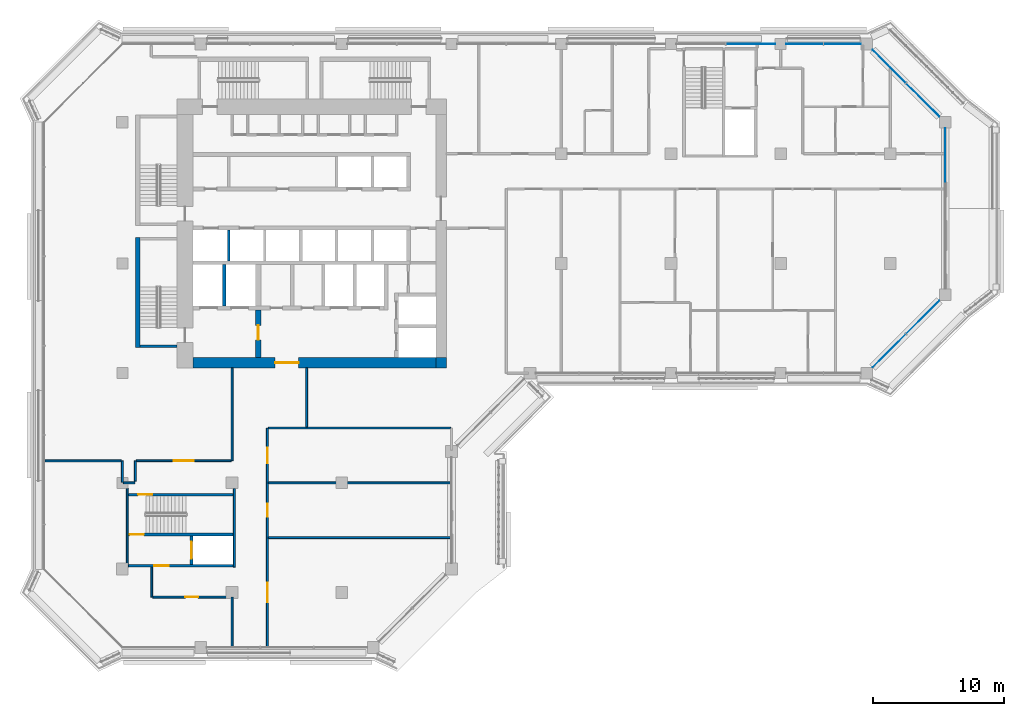
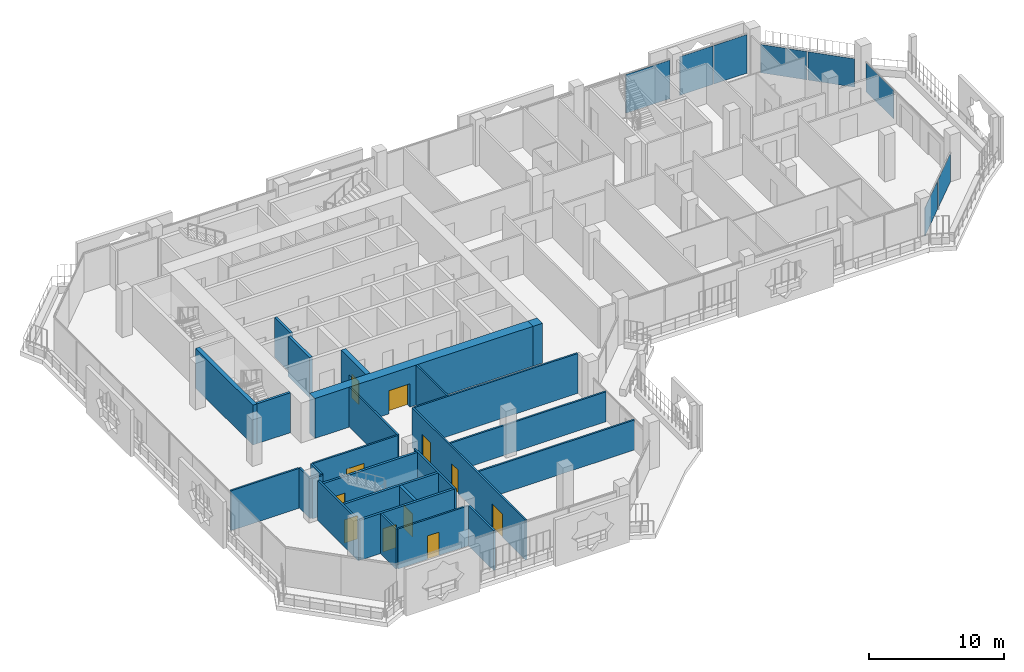
# One storey, part 9 of 21: 27 walls, 11 doors, 8 plates, 11 openings, 4 elements without a shape of their own.
"""IFC4 building model written with IfcOpenShell, lengths in metres."""

from ifc_helpers import new_model, si_unit, direction, frame, frame_2d, origin, origin_2d, place, context, subcontext, project, spatial, rectangle, extrude, material, layer, layer_set, type_object, element, fill, aggregate, save


model = new_model("IFC4")

# Units and contexts
model_context = context("Model", 3, precision=1e-05, world=origin(), true_north=direction((0.0, 1.0)))
body_context = subcontext(model_context, "Body", "Model", "MODEL_VIEW")
ifc_project = project(units=[si_unit("LENGTHUNIT", "METRE"), si_unit("AREAUNIT", "SQUARE_METRE"), si_unit("VOLUMEUNIT", "CUBIC_METRE"), si_unit("PLANEANGLEUNIT", "RADIAN"), si_unit("MASSUNIT", "GRAM", prefix="KILO")], contexts=[model_context])

# Site, building, storey
site_placement = place(None, origin())
site = spatial("IfcSite", under=ifc_project, at=site_placement, CompositionType="ELEMENT")
building_placement = place(site_placement, origin())
building = spatial("IfcBuilding", under=site, at=building_placement, Name="Kawkab Arch Medical Tower", CompositionType="ELEMENT")
storey_placement = place(building_placement, frame((0.0, 0.0, 260.0)))
storey = spatial("IfcBuildingStorey", under=building, at=storey_placement, Name="L60", CompositionType="ELEMENT", Elevation=260.0)

# Curtain wall, plate
ifc_material_1 = material(Name="Bronze anodised aluminium curtain wall frame", Category="aluminium")
ifc_layer_1 = layer(ifc_material_1, 0.159912109375)
ifc_layer_set_1 = layer_set([ifc_layer_1], Name="Bronze anodised aluminium curtain wall frame")
curtain_wall_type_1 = type_object("IfcCurtainWallType", Name="CW1 ward curtain wall", PredefinedType="NOTDEFINED", material=ifc_layer_set_1)
placement = place(storey_placement, origin())
curtain_wall_1 = element("IfcCurtainWall", 1, at=placement, inside=storey, type_object=curtain_wall_type_1, Name="CW1 Ward curtain wall R09", PredefinedType="NOTDEFINED")
ifc_material_2 = material(Name="Tinted insulating glass, bronze low-e coating", Category="glass")
ifc_layer_2 = layer(ifc_material_2, 0.031982421875)
ifc_layer_set_2 = layer_set([ifc_layer_2], Name="Tinted insulating glass, bronze low-e coating")
plate_type_1 = type_object("IfcPlateType", Name="CW1 glazing unit 32", PredefinedType="CURTAIN_PANEL", material=ifc_layer_set_2)
plate_1_placement = place(storey_placement, frame((63.0, -8.5, 0.0), z_axis=(0.0, 0.0, 1.0), x_axis=(0.0, 1.0, 0.0)))
plate_1 = element("IfcPlate", 2, at=plate_1_placement, type_object=plate_type_1, Name="CW1 glazing unit 1.3", PredefinedType="CURTAIN_PANEL", context=body_context, shape_type="SweptSolid", body=[
    extrude(rectangle(XDim=4.10009765625, YDim=0.031982421875, at=origin_2d()), origin(), (0.0, 0.0, 1.0), 2.580078125),
])
aggregate(curtain_wall_1, [plate_1])

# Curtain wall, plates
curtain_wall_2 = element("IfcCurtainWall", 3, at=placement, inside=storey, type_object=curtain_wall_type_1, Name="CW1 Ward curtain wall R11", PredefinedType="NOTDEFINED")
plate_2_placement = place(storey_placement, frame((55.1337890625, 0.0, 0.0), z_axis=(0.0, 0.0, 1.0), x_axis=(-1.0, 0.0, 0.0)))
plate_2 = element("IfcPlate", 4, at=plate_2_placement, type_object=plate_type_1, Name="CW1 glazing unit 1.1", PredefinedType="CURTAIN_PANEL", context=body_context, shape_type="SweptSolid", body=[
    extrude(rectangle(XDim=2.83251953125, YDim=0.031982421875, at=origin_2d()), origin(), (0.0, 0.0, 1.0), 3.47998046875),
])
plate_3_placement = place(storey_placement, frame((52.2412109375, 0.0, 0.0), z_axis=(0.0, 0.0, 1.0), x_axis=(-1.0, 0.0, 0.0)))
plate_3 = element("IfcPlate", 5, at=plate_3_placement, type_object=plate_type_1, Name="CW1 glazing unit 1.2", PredefinedType="CURTAIN_PANEL", context=body_context, shape_type="SweptSolid", body=[
    extrude(rectangle(XDim=2.83251953125, YDim=0.031982421875, at=origin_2d()), origin(), (0.0, 0.0, 1.0), 3.47998046875),
])
plate_4_placement = place(storey_placement, frame((48.1025390625, 0.0, 0.0), z_axis=(0.0, 0.0, 1.0), x_axis=(-1.0, 0.0, 0.0)))
plate_4 = element("IfcPlate", 6, at=plate_4_placement, type_object=plate_type_1, Name="CW1 glazing unit 2.1", PredefinedType="CURTAIN_PANEL", context=body_context, shape_type="SweptSolid", body=[
    extrude(rectangle(XDim=3.7451171875, YDim=0.031982421875, at=origin_2d()), origin(), (0.0, 0.0, 1.0), 3.47998046875),
])
aggregate(curtain_wall_2, [plate_2, plate_3, plate_4])

ifc_material_3 = material(Name="Bronze anodised aluminium curtain wall frame", Category="aluminium")
ifc_layer_3 = layer(ifc_material_3, 0.159912109375)
ifc_layer_set_3 = layer_set([ifc_layer_3], Name="Bronze anodised aluminium curtain wall frame")
curtain_wall_type_2 = type_object("IfcCurtainWallType", Name="CW2 chamfer curtain wall", PredefinedType="NOTDEFINED", material=ifc_layer_set_3)
curtain_wall_3 = element("IfcCurtainWall", 7, at=placement, inside=storey, type_object=curtain_wall_type_2, Name="CW2 Chamfer curtain wall R08", PredefinedType="NOTDEFINED")
ifc_material_4 = material(Name="Tinted insulating glass, bronze low-e coating", Category="glass")
ifc_layer_4 = layer(ifc_material_4, 0.031982421875)
ifc_layer_set_4 = layer_set([ifc_layer_4], Name="Tinted insulating glass, bronze low-e coating")
plate_type_2 = type_object("IfcPlateType", Name="CW2 glazing unit 32", PredefinedType="CURTAIN_PANEL", material=ifc_layer_set_4)
plate_5_placement = place(storey_placement, frame((58.71435546875, -23.485595703125, 0.0), z_axis=(0.0, 0.0, 1.0), x_axis=(0.707106781187, 0.707106781187, 0.0)))
plate_5 = element("IfcPlate", 8, at=plate_5_placement, type_object=plate_type_2, Name="CW2 glazing unit 1.1", PredefinedType="CURTAIN_PANEL", context=body_context, shape_type="SweptSolid", body=[
    extrude(rectangle(XDim=3.576171875, YDim=0.031982421875, at=origin_2d()), origin(), (0.0, 0.0, 1.0), 2.56005859375),
])
plate_6_placement = place(storey_placement, frame((61.28564453125, -20.914306640625, 0.0), z_axis=(0.0, 0.0, 1.0), x_axis=(0.707106781187, 0.707106781187, 0.0)))
plate_6 = element("IfcPlate", 9, at=plate_6_placement, type_object=plate_type_2, Name="CW2 glazing unit 1.2", PredefinedType="CURTAIN_PANEL", context=body_context, shape_type="SweptSolid", body=[
    extrude(rectangle(XDim=3.576171875, YDim=0.031982421875, at=origin_2d()), origin(), (0.0, 0.0, 1.0), 2.56005859375),
])
aggregate(curtain_wall_3, [plate_5, plate_6])

curtain_wall_4 = element("IfcCurtainWall", 10, at=placement, inside=storey, type_object=curtain_wall_type_2, Name="CW2 Chamfer curtain wall R10", PredefinedType="NOTDEFINED")
plate_7_placement = place(storey_placement, frame((61.28564453125, -4.28564453125, 0.0), z_axis=(0.0, 0.0, 1.0), x_axis=(-0.707106781187, 0.707106781187, 0.0)))
plate_7 = element("IfcPlate", 11, at=plate_7_placement, type_object=plate_type_2, Name="CW2 glazing unit 1.1", PredefinedType="CURTAIN_PANEL", context=body_context, shape_type="SweptSolid", body=[
    extrude(rectangle(XDim=3.576171875, YDim=0.031982421875, at=origin_2d()), origin(), (0.0, 0.0, 1.0), 2.56005859375),
])
plate_8_placement = place(storey_placement, frame((58.71435546875, -1.71435546875, 0.0), z_axis=(0.0, 0.0, 1.0), x_axis=(-0.707106781187, 0.707106781187, 0.0)))
plate_8 = element("IfcPlate", 12, at=plate_8_placement, type_object=plate_type_2, Name="CW2 glazing unit 1.2", PredefinedType="CURTAIN_PANEL", context=body_context, shape_type="SweptSolid", body=[
    extrude(rectangle(XDim=3.576171875, YDim=0.031982421875, at=origin_2d()), origin(), (0.0, 0.0, 1.0), 2.56005859375),
])
aggregate(curtain_wall_4, [plate_7, plate_8])

# Wall, opening, door
ifc_material_5 = material(Name="Concrete C50/60", Category="concrete")
ifc_layer_5 = layer(ifc_material_5, 0.800048828125)
ifc_layer_set_5 = layer_set([ifc_layer_5], Name="Concrete C50/60")
wall_type_1 = type_object("IfcWallType", Name="Core ring wall 800 C50/60", PredefinedType="SHEAR", material=ifc_layer_set_5)
wall_1_placement = place(storey_placement, frame((5.39990234375, -24.39990234375, 0.0), z_axis=(0.0, 0.0, 1.0), x_axis=(1.0, 0.0, 0.0)))
wall_1 = element("IfcWall", 13, at=wall_1_placement, inside=storey, type_object=wall_type_1, Name="L60 core wall", PredefinedType="SHEAR", context=body_context, shape_type="SweptSolid", body=[
    extrude(rectangle(XDim=18.60009765625, YDim=0.800048828125, at=frame_2d((9.300048828125, 0.0))), origin(), (0.0, 0.0, 1.0), 3.60009765625),
])
opening_1_placement = place(wall_1_placement, frame((6.300048828125, 0.0, 0.0)))
opening_1 = element("IfcOpeningElement", 14, at=opening_1_placement, cuts=wall_1, Name="Opening PD", PredefinedType="OPENING", context=body_context, shape_type="SweptSolid", body=[
    extrude(rectangle(XDim=1.800048828125, YDim=2.10009765625, at=frame_2d((0.89990234375, 1.050048828125))), frame((0.0, 0.409912109375, 0.0), z_axis=(0.0, -1.0, 0.0), x_axis=(1.0, 0.0, 0.0)), (0.0, 0.0, 1.0), 0.820068359375),
])
ifc_material_6 = material(Name="Hollow metal fire door leaf")
door_type_1 = type_object("IfcDoorType", Name="Core entrance doors 1800", OperationType="DOUBLE_DOOR_SINGLE_SWING", PredefinedType="DOOR", material=ifc_material_6)
door_1_placement = place(opening_1_placement, origin())
door_1 = element("IfcDoor", 15, at=door_1_placement, inside=storey, type_object=door_type_1, Name="L60 South entrance doors", OperationType="DOUBLE_DOOR_SINGLE_SWING", OverallHeight=2.10009765625, OverallWidth=1.800048828125, PredefinedType="DOOR", context=body_context, shape_type="SweptSolid", body=[
    extrude(rectangle(XDim=1.800048828125, YDim=2.10009765625, at=frame_2d((0.89990234375, 1.050048828125))), frame((0.0, 0.02490234375, 0.0), z_axis=(0.0, -1.0, 0.0), x_axis=(1.0, 0.0, 0.0)), (0.0, 0.0, 1.0), 0.050048828125),
])
fill(opening_1, door_1)

# Walls
wall_2_placement = place(storey_placement, frame((24.39990234375, -24.800048828125, 0.0), z_axis=(0.0, 0.0, 1.0), x_axis=(0.0, 1.0, 0.0)))
element("IfcWall", 16, at=wall_2_placement, inside=storey, type_object=wall_type_1, Name="L60 core wall", PredefinedType="SHEAR", context=body_context, shape_type="SweptSolid", body=[
    extrude(rectangle(XDim=0.800048828125, YDim=0.800048828125, at=frame_2d((0.39990234375, 0.0))), origin(), (0.0, 0.0, 1.0), 3.60009765625),
])
ifc_material_7 = material(Name="Concrete C60/75", Category="concrete")
ifc_layer_6 = layer(ifc_material_7, 0.25)
ifc_layer_set_6 = layer_set([ifc_layer_6], Name="Concrete C60/75")
wall_type_2 = type_object("IfcWallType", Name="Core shear wall 250 C60/75", PredefinedType="SHEAR", material=ifc_layer_set_6)
wall_3_placement = place(storey_placement, frame((7.800048828125, -20.050048828125, 0.0), z_axis=(0.0, 0.0, 1.0), x_axis=(0.0, 1.0, 0.0)))
element("IfcWall", 17, at=wall_3_placement, inside=storey, type_object=wall_type_2, Name="L60 core shear wall", PredefinedType="SHEAR", context=body_context, shape_type="SweptSolid", body=[
    extrude(rectangle(XDim=3.150146484375, YDim=0.25, at=frame_2d((1.5751953125, 0.0))), origin(), (0.0, 0.0, 1.0), 3.60009765625),
])

# Wall, opening, door
wall_4_placement = place(storey_placement, frame((5.300048828125, -39.85009765625, 0.0), z_axis=(0.0, 0.0, 1.0), x_axis=(0.0, 1.0, 0.0)))
wall_4 = element("IfcWall", 18, at=wall_4_placement, inside=storey, type_object=wall_type_2, Name="L60 core shear wall", PredefinedType="SHEAR", context=body_context, shape_type="SweptSolid", body=[
    extrude(rectangle(XDim=2.2001953125, YDim=0.25, at=frame_2d((1.10009765625, 0.0))), origin(), (0.0, 0.0, 1.0), 3.60009765625),
])
opening_2_placement = place(wall_4_placement, frame((0.449951171875, 0.0, 0.0)))
opening_2 = element("IfcOpeningElement", 19, at=opening_2_placement, cuts=wall_4, Name="Opening LD2", PredefinedType="OPENING", context=body_context, shape_type="SweptSolid", body=[
    extrude(rectangle(XDim=1.300048828125, YDim=2.10009765625, at=frame_2d((0.64990234375, 1.050048828125))), frame((0.0, 0.135009765625, 0.0), z_axis=(0.0, -1.0, 0.0), x_axis=(1.0, 0.0, 0.0)), (0.0, 0.0, 1.0), 0.27001953125),
])
ifc_material_8 = material(Name="Stainless steel lift door leaf", Category="steel")
door_type_2 = type_object("IfcDoorType", Name="Lift landing door 1300", OperationType="DOUBLE_DOOR_SLIDING", PredefinedType="DOOR", material=ifc_material_8)
door_2_placement = place(opening_2_placement, origin())
door_2 = element("IfcDoor", 20, at=door_2_placement, inside=storey, type_object=door_type_2, Name="L60 Lift landing door SV2", OperationType="DOUBLE_DOOR_SLIDING", OverallHeight=2.10009765625, OverallWidth=1.300048828125, PredefinedType="DOOR", context=body_context, shape_type="SweptSolid", body=[
    extrude(rectangle(XDim=1.300048828125, YDim=2.10009765625, at=frame_2d((0.64990234375, 1.050048828125))), frame((0.0, 0.02490234375, 0.0), z_axis=(0.0, -1.0, 0.0), x_axis=(1.0, 0.0, 0.0)), (0.0, 0.0, 1.0), 0.050048828125),
])
fill(opening_2, door_2)

ifc_material_9 = material(Name="Concrete C60/75", Category="concrete")
ifc_layer_7 = layer(ifc_material_9, 0.39990234375)
ifc_layer_set_7 = layer_set([ifc_layer_7], Name="Concrete C60/75")
wall_type_3 = type_object("IfcWallType", Name="Core shear wall 400 C60/75", PredefinedType="SHEAR", material=ifc_layer_set_7)
wall_5_placement = place(storey_placement, frame((10.39990234375, -24.0, 0.0), z_axis=(0.0, 0.0, 1.0), x_axis=(0.0, 1.0, 0.0)))
wall_5 = element("IfcWall", 21, at=wall_5_placement, inside=storey, type_object=wall_type_3, Name="L60 core shear wall", PredefinedType="SHEAR", context=body_context, shape_type="SweptSolid", body=[
    extrude(rectangle(XDim=3.64990234375, YDim=0.39990234375, at=frame_2d((1.824951171875, 0.0))), origin(), (0.0, 0.0, 1.0), 3.60009765625),
])
opening_3_placement = place(wall_5_placement, frame((1.35009765625, 0.0, 0.0)))
opening_3 = element("IfcOpeningElement", 22, at=opening_3_placement, cuts=wall_5, Name="Opening FD", PredefinedType="OPENING", context=body_context, shape_type="SweptSolid", body=[
    extrude(rectangle(XDim=1.10009765625, YDim=2.10009765625, at=frame_2d((0.550048828125, 1.050048828125))), frame((0.0, 0.2099609375, 0.0), z_axis=(0.0, -1.0, 0.0), x_axis=(1.0, 0.0, 0.0)), (0.0, 0.0, 1.0), 0.419921875),
])
ifc_material_10 = material(Name="Hollow metal fire door leaf")
door_type_3 = type_object("IfcDoorType", Name="Firefighting lobby door 1100", OperationType="SINGLE_SWING_LEFT", PredefinedType="DOOR", material=ifc_material_10)
door_3_placement = place(opening_3_placement, origin())
door_3 = element("IfcDoor", 23, at=door_3_placement, inside=storey, type_object=door_type_3, Name="L60 Firefighting lobby door", OperationType="SINGLE_SWING_LEFT", OverallHeight=2.10009765625, OverallWidth=1.10009765625, PredefinedType="DOOR", context=body_context, shape_type="SweptSolid", body=[
    extrude(rectangle(XDim=1.10009765625, YDim=2.10009765625, at=frame_2d((0.550048828125, 1.050048828125))), frame((0.0, 0.02490234375, 0.0), z_axis=(0.0, -1.0, 0.0), x_axis=(1.0, 0.0, 0.0)), (0.0, 0.0, 1.0), 0.050048828125),
])
fill(opening_3, door_3)

# Wall
ifc_material_11 = material(Name="Dense concrete blockwork", Category="masonry")
ifc_layer_8 = layer(ifc_material_11, 0.199951171875)
ifc_layer_set_8 = layer_set([ifc_layer_8], Name="Dense concrete blockwork")
wall_type_4 = type_object("IfcWallType", Name="Lift shaft partition 200", PredefinedType="PARTITIONING", material=ifc_layer_set_8)
wall_6_placement = place(storey_placement, frame((8.14990234375, -16.60009765625, 0.0), z_axis=(0.0, 0.0, 1.0), x_axis=(0.0, 1.0, 0.0)))
element("IfcWall", 24, at=wall_6_placement, inside=storey, type_object=wall_type_4, Name="L60 lift shaft partition", PredefinedType="PARTITIONING", context=body_context, shape_type="SweptSolid", body=[
    extrude(rectangle(XDim=2.35009765625, YDim=0.199951171875, at=frame_2d((1.175048828125, 0.0))), origin(), (0.0, 0.0, 1.0), 3.60009765625),
])

# Wall, opening, door
ifc_material_12 = material(Name="Gypsum board partition on steel studs, mineral wool", Category="steel")
ifc_layer_9 = layer(ifc_material_12, 0.14990234375)
ifc_layer_set_9 = layer_set([ifc_layer_9], Name="Gypsum board partition on steel studs, mineral wool")
wall_type_5 = type_object("IfcWallType", Name="Partition 150", PredefinedType="PARTITIONING", material=ifc_layer_set_9)
wall_7_placement = place(storey_placement, frame((2.326904296875, -42.35009765625, 0.0), z_axis=(0.0, 0.0, 1.0), x_axis=(1.0, 0.0, 0.0)))
wall_7 = element("IfcWall", 25, at=wall_7_placement, inside=storey, type_object=wall_type_5, Name="Partition 150 w012", PredefinedType="PARTITIONING", context=body_context, shape_type="SweptSolid", body=[
    extrude(rectangle(XDim=5.998046875, YDim=0.14990234375, at=frame_2d((2.9990234375, 0.0))), origin(), (0.0, 0.0, 1.0), 3.60009765625),
])
opening_4_placement = place(wall_7_placement, frame((2.4990234375, 0.0, 0.0)))
opening_4 = element("IfcOpeningElement", 26, at=opening_4_placement, cuts=wall_7, Name="Opening W55-020", PredefinedType="OPENING", context=body_context, shape_type="SweptSolid", body=[
    extrude(rectangle(XDim=1.0, YDim=2.10009765625, at=frame_2d((0.5, 1.050048828125))), frame((0.0, 0.0849609375, 0.0), z_axis=(0.0, -1.0, 0.0), x_axis=(1.0, 0.0, 0.0)), (0.0, 0.0, 1.0), 0.169921875),
])
ifc_material_13 = material(Name="Hollow metal door leaf")
door_type_4 = type_object("IfcDoorType", Name="Single door 1000x2100 FD30S", OperationType="NOTDEFINED", PredefinedType="DOOR", material=ifc_material_13)
door_4_placement = place(opening_4_placement, origin())
door_4 = element("IfcDoor", 27, at=door_4_placement, inside=storey, type_object=door_type_4, Name="Door W55-020", OperationType="SINGLE_SWING_LEFT", OverallHeight=2.10009765625, OverallWidth=1.0, PredefinedType="DOOR", context=body_context, shape_type="SweptSolid", body=[
    extrude(rectangle(XDim=1.0, YDim=2.10009765625, at=frame_2d((0.5, 1.050048828125))), frame((0.0, 0.02490234375, 0.0), z_axis=(0.0, -1.0, 0.0), x_axis=(1.0, 0.0, 0.0)), (0.0, 0.0, 1.0), 0.050048828125),
])
fill(opening_4, door_4)

# Walls
wall_8_placement = place(storey_placement, frame((11.175048828125, -37.800048828125, 0.0), z_axis=(0.0, 0.0, 1.0), x_axis=(1.0, 0.0, 0.0)))
element("IfcWall", 28, at=wall_8_placement, inside=storey, type_object=wall_type_5, Name="Partition 150 w013", PredefinedType="PARTITIONING", context=body_context, shape_type="SweptSolid", body=[
    extrude(rectangle(XDim=13.945068359375, YDim=0.14990234375, at=frame_2d((6.97265625, 0.0))), origin(), (0.0, 0.0, 1.0), 2.699951171875),
])
wall_9_placement = place(storey_placement, frame((0.074951171875, -33.60009765625, 0.0), z_axis=(0.0, 0.0, 1.0), x_axis=(1.0, 0.0, 0.0)))
element("IfcWall", 29, at=wall_9_placement, inside=storey, type_object=wall_type_5, Name="Partition 150 w014", PredefinedType="PARTITIONING", context=body_context, shape_type="SweptSolid", body=[
    extrude(rectangle(XDim=0.875, YDim=0.14990234375, at=frame_2d((0.4375, 0.0))), origin(), (0.0, 0.0, 1.0), 3.60009765625),
])
wall_10_placement = place(storey_placement, frame((11.175048828125, -33.60009765625, 0.0), z_axis=(0.0, 0.0, 1.0), x_axis=(1.0, 0.0, 0.0)))
element("IfcWall", 30, at=wall_10_placement, inside=storey, type_object=wall_type_5, Name="Partition 150 w015", PredefinedType="PARTITIONING", context=body_context, shape_type="SweptSolid", body=[
    extrude(rectangle(XDim=13.945068359375, YDim=0.14990234375, at=frame_2d((6.97265625, 0.0))), origin(), (0.0, 0.0, 1.0), 2.699951171875),
])
wall_11_placement = place(storey_placement, frame((-5.919921875, -31.919921875, 0.0), z_axis=(0.0, 0.0, 1.0), x_axis=(1.0, 0.0, 0.0)))
element("IfcWall", 31, at=wall_11_placement, inside=storey, type_object=wall_type_5, Name="Partition 150 w016", PredefinedType="PARTITIONING", context=body_context, shape_type="SweptSolid", body=[
    extrude(rectangle(XDim=5.824951171875, YDim=0.14990234375, at=frame_2d((2.91259765625, 0.0))), origin(), (0.0, 0.0, 1.0), 3.60009765625),
])

# Wall, opening, door
wall_12_placement = place(storey_placement, frame((1.076904296875, -31.906982421875, 0.0), z_axis=(0.0, 0.0, 1.0), x_axis=(1.0, 0.0, 0.0)))
wall_12 = element("IfcWall", 32, at=wall_12_placement, inside=storey, type_object=wall_type_5, Name="Partition 150 w017", PredefinedType="PARTITIONING", context=body_context, shape_type="SweptSolid", body=[
    extrude(rectangle(XDim=7.248046875, YDim=0.14990234375, at=frame_2d((3.6240234375, 0.0))), origin(), (0.0, 0.0, 1.0), 3.60009765625),
])
opening_5_placement = place(wall_12_placement, frame((2.8740234375, 0.0, 0.0)))
opening_5 = element("IfcOpeningElement", 33, at=opening_5_placement, cuts=wall_12, Name="Opening W55-003", PredefinedType="OPENING", context=body_context, shape_type="SweptSolid", body=[
    extrude(rectangle(XDim=1.5, YDim=2.10009765625, at=frame_2d((0.75, 1.050048828125))), frame((0.0, 0.0849609375, 0.0), z_axis=(0.0, -1.0, 0.0), x_axis=(1.0, 0.0, 0.0)), (0.0, 0.0, 1.0), 0.169921875),
])
ifc_material_14 = material(Name="Hollow metal door leaf")
door_type_5 = type_object("IfcDoorType", Name="Double door 1500x2100 FD30S", OperationType="NOTDEFINED", PredefinedType="DOOR", material=ifc_material_14)
door_5_placement = place(opening_5_placement, origin())
door_5 = element("IfcDoor", 34, at=door_5_placement, inside=storey, type_object=door_type_5, Name="Door W55-003", OperationType="DOUBLE_DOOR_SINGLE_SWING", OverallHeight=2.10009765625, OverallWidth=1.5, PredefinedType="DOOR", context=body_context, shape_type="SweptSolid", body=[
    extrude(rectangle(XDim=1.5, YDim=2.10009765625, at=frame_2d((0.75, 1.050048828125))), frame((0.0, 0.02490234375, 0.0), z_axis=(0.0, -1.0, 0.0), x_axis=(1.0, 0.0, 0.0)), (0.0, 0.0, 1.0), 0.050048828125),
])
fill(opening_5, door_5)

# Walls
wall_13_placement = place(storey_placement, frame((11.175048828125, -29.39990234375, 0.0), z_axis=(0.0, 0.0, 1.0), x_axis=(1.0, 0.0, 0.0)))
element("IfcWall", 35, at=wall_13_placement, inside=storey, type_object=wall_type_5, Name="Partition 150 w018", PredefinedType="PARTITIONING", context=body_context, shape_type="SweptSolid", body=[
    extrude(rectangle(XDim=13.949951171875, YDim=0.14990234375, at=frame_2d((6.97509765625, 0.0))), origin(), (0.0, 0.0, 1.0), 3.60009765625),
])
wall_14_placement = place(storey_placement, frame((0.0, -33.56005859375, 0.0), z_axis=(0.0, 0.0, 1.0), x_axis=(0.0, 1.0, 0.0)))
element("IfcWall", 36, at=wall_14_placement, inside=storey, type_object=wall_type_5, Name="Partition 150 w028", PredefinedType="PARTITIONING", context=body_context, shape_type="SweptSolid", body=[
    extrude(rectangle(XDim=1.63916015625, YDim=0.14990234375, at=frame_2d((0.819580078125, 0.0))), origin(), (0.0, 0.0, 1.0), 3.60009765625),
])
wall_15_placement = place(storey_placement, frame((1.0, -33.465087890625, 0.0), z_axis=(0.0, 0.0, 1.0), x_axis=(0.0, 1.0, 0.0)))
element("IfcWall", 37, at=wall_15_placement, inside=storey, type_object=wall_type_5, Name="Partition 150 w029", PredefinedType="PARTITIONING", context=body_context, shape_type="SweptSolid", body=[
    extrude(rectangle(XDim=1.55615234375, YDim=0.14990234375, at=frame_2d((0.778076171875, 0.0))), origin(), (0.0, 0.0, 1.0), 3.60009765625),
])
wall_16_placement = place(storey_placement, frame((2.25, -42.345947265625, 0.0), z_axis=(0.0, 0.0, 1.0), x_axis=(0.0, 1.0, 0.0)))
element("IfcWall", 38, at=wall_16_placement, inside=storey, type_object=wall_type_5, Name="Partition 150 w031", PredefinedType="PARTITIONING", context=body_context, shape_type="SweptSolid", body=[
    extrude(rectangle(XDim=2.2958984375, YDim=0.14990234375, at=frame_2d((1.14794921875, 0.0))), origin(), (0.0, 0.0, 1.0), 3.60009765625),
])
wall_17_placement = place(storey_placement, frame((8.39990234375, -46.1201171875, 0.0), z_axis=(0.0, 0.0, 1.0), x_axis=(0.0, 1.0, 0.0)))
element("IfcWall", 39, at=wall_17_placement, inside=storey, type_object=wall_type_5, Name="Partition 150 w032", PredefinedType="PARTITIONING", context=body_context, shape_type="SweptSolid", body=[
    extrude(rectangle(XDim=3.77001953125, YDim=0.14990234375, at=frame_2d((1.885009765625, 0.0))), origin(), (0.0, 0.0, 1.0), 3.60009765625),
])
wall_18_placement = place(storey_placement, frame((8.39990234375, -31.906982421875, 0.0), z_axis=(0.0, 0.0, 1.0), x_axis=(0.0, 1.0, 0.0)))
element("IfcWall", 40, at=wall_18_placement, inside=storey, type_object=wall_type_5, Name="Partition 150 w033", PredefinedType="PARTITIONING", context=body_context, shape_type="SweptSolid", body=[
    extrude(rectangle(XDim=7.10693359375, YDim=0.14990234375, at=frame_2d((3.553466796875, 0.0))), origin(), (0.0, 0.0, 1.0), 3.60009765625),
])

# Wall, openings, doors
wall_19_placement = place(storey_placement, frame((11.10009765625, -46.1201171875, 0.0), z_axis=(0.0, 0.0, 1.0), x_axis=(0.0, 1.0, 0.0)))
wall_19 = element("IfcWall", 41, at=wall_19_placement, inside=storey, type_object=wall_type_5, Name="Partition 150 w034", PredefinedType="PARTITIONING", context=body_context, shape_type="SweptSolid", body=[
    extrude(rectangle(XDim=16.72021484375, YDim=0.14990234375, at=frame_2d((8.360107421875, 0.0))), origin(), (0.0, 0.0, 1.0), 3.60009765625),
])
opening_6_placement = place(wall_19_placement, frame((14.02001953125, 0.0, 0.0)))
opening_6 = element("IfcOpeningElement", 42, at=opening_6_placement, cuts=wall_19, Name="Opening W55-031", PredefinedType="OPENING", context=body_context, shape_type="SweptSolid", body=[
    extrude(rectangle(XDim=1.199951171875, YDim=2.10009765625, at=frame_2d((0.60009765625, 1.050048828125))), frame((0.0, 0.0849609375, 0.0), z_axis=(0.0, -1.0, 0.0), x_axis=(1.0, 0.0, 0.0)), (0.0, 0.0, 1.0), 0.169921875),
])
opening_7_placement = place(wall_19_placement, frame((9.919921875, 0.0, 0.0)))
opening_7 = element("IfcOpeningElement", 43, at=opening_7_placement, cuts=wall_19, Name="Opening W55-021", PredefinedType="OPENING", context=body_context, shape_type="SweptSolid", body=[
    extrude(rectangle(XDim=1.0, YDim=2.10009765625, at=frame_2d((0.5, 1.050048828125))), frame((0.0, 0.0849609375, 0.0), z_axis=(0.0, -1.0, 0.0), x_axis=(1.0, 0.0, 0.0)), (0.0, 0.0, 1.0), 0.169921875),
])
opening_8_placement = place(wall_19_placement, frame((3.3701171875, 0.0, 0.0)))
opening_8 = element("IfcOpeningElement", 44, at=opening_8_placement, cuts=wall_19, Name="Opening W55-004", PredefinedType="OPENING", context=body_context, shape_type="SweptSolid", body=[
    extrude(rectangle(XDim=1.5, YDim=2.10009765625, at=frame_2d((0.75, 1.050048828125))), frame((0.0, 0.0849609375, 0.0), z_axis=(0.0, -1.0, 0.0), x_axis=(1.0, 0.0, 0.0)), (0.0, 0.0, 1.0), 0.169921875),
])
door_6_placement = place(opening_8_placement, origin())
door_6 = element("IfcDoor", 45, at=door_6_placement, inside=storey, type_object=door_type_5, Name="Door W55-004", OperationType="DOUBLE_DOOR_SINGLE_SWING", OverallHeight=2.10009765625, OverallWidth=1.5, PredefinedType="DOOR", context=body_context, shape_type="SweptSolid", body=[
    extrude(rectangle(XDim=1.5, YDim=2.10009765625, at=frame_2d((0.75, 1.050048828125))), frame((0.0, 0.02490234375, 0.0), z_axis=(0.0, -1.0, 0.0), x_axis=(1.0, 0.0, 0.0)), (0.0, 0.0, 1.0), 0.050048828125),
])
fill(opening_8, door_6)
door_7_placement = place(opening_7_placement, origin())
door_7 = element("IfcDoor", 46, at=door_7_placement, inside=storey, type_object=door_type_4, Name="Door W55-021", OperationType="SINGLE_SWING_LEFT", OverallHeight=2.10009765625, OverallWidth=1.0, PredefinedType="DOOR", context=body_context, shape_type="SweptSolid", body=[
    extrude(rectangle(XDim=1.0, YDim=2.10009765625, at=frame_2d((0.5, 1.050048828125))), frame((0.0, 0.02490234375, 0.0), z_axis=(0.0, -1.0, 0.0), x_axis=(1.0, 0.0, 0.0)), (0.0, 0.0, 1.0), 0.050048828125),
])
fill(opening_7, door_7)
ifc_material_15 = material(Name="Hollow metal door leaf")
door_type_6 = type_object("IfcDoorType", Name="Single door 1200x2100 FD30S", OperationType="NOTDEFINED", PredefinedType="DOOR", material=ifc_material_15)
door_8_placement = place(opening_6_placement, origin())
door_8 = element("IfcDoor", 47, at=door_8_placement, inside=storey, type_object=door_type_6, Name="Door W55-031", OperationType="SINGLE_SWING_LEFT", OverallHeight=2.10009765625, OverallWidth=1.199951171875, PredefinedType="DOOR", context=body_context, shape_type="SweptSolid", body=[
    extrude(rectangle(XDim=1.199951171875, YDim=2.10009765625, at=frame_2d((0.60009765625, 1.050048828125))), frame((0.0, 0.02490234375, 0.0), z_axis=(0.0, -1.0, 0.0), x_axis=(1.0, 0.0, 0.0)), (0.0, 0.0, 1.0), 0.050048828125),
])
fill(opening_6, door_8)

# Walls
wall_20_placement = place(storey_placement, frame((14.10009765625, -29.324951171875, 0.0), z_axis=(0.0, 0.0, 1.0), x_axis=(0.0, 1.0, 0.0)))
element("IfcWall", 48, at=wall_20_placement, inside=storey, type_object=wall_type_5, Name="Partition 150 w035", PredefinedType="PARTITIONING", context=body_context, shape_type="SweptSolid", body=[
    extrude(rectangle(XDim=4.52490234375, YDim=0.14990234375, at=frame_2d((2.262451171875, 0.0))), origin(), (0.0, 0.0, 1.0), 3.60009765625),
])
ifc_material_16 = material(Name="Concrete C50/60", Category="concrete")
ifc_layer_10 = layer(ifc_material_16, 0.14990234375)
ifc_layer_set_10 = layer_set([ifc_layer_10], Name="Concrete C50/60")
wall_type_6 = type_object("IfcWallType", Name="Stair enclosure wall 150 C50/60", PredefinedType="SHEAR", material=ifc_layer_set_10)
wall_21_placement = place(storey_placement, frame((0.375, -40.050048828125, 0.0), z_axis=(0.0, 0.0, 1.0), x_axis=(0.0, 1.0, 0.0)))
element("IfcWall", 49, at=wall_21_placement, inside=storey, type_object=wall_type_6, Name="L60 stair enclosure wall", PredefinedType="SHEAR", context=body_context, shape_type="SweptSolid", body=[
    extrude(rectangle(XDim=6.025146484375, YDim=0.14990234375, at=frame_2d((3.0126953125, 0.0))), origin(), (0.0, 0.0, 1.0), 3.60009765625),
])
wall_22_placement = place(storey_placement, frame((8.574951171875, -40.050048828125, 0.0), z_axis=(0.0, 0.0, 1.0), x_axis=(0.0, 1.0, 0.0)))
element("IfcWall", 50, at=wall_22_placement, inside=storey, type_object=wall_type_6, Name="L60 stair enclosure wall", PredefinedType="SHEAR", context=body_context, shape_type="SweptSolid", body=[
    extrude(rectangle(XDim=6.0, YDim=0.14990234375, at=frame_2d((3.0, 0.0))), origin(), (0.0, 0.0, 1.0), 3.60009765625),
])
ifc_material_17 = material(Name="Concrete C50/60", Category="concrete")
ifc_layer_11 = layer(ifc_material_17, 0.199951171875)
ifc_layer_set_11 = layer_set([ifc_layer_11], Name="Concrete C50/60")
wall_type_7 = type_object("IfcWallType", Name="Stair enclosure wall 200 C50/60", PredefinedType="SHEAR", material=ifc_layer_set_11)
wall_23_placement = place(storey_placement, frame((1.35009765625, -23.14990234375, 0.0), z_axis=(0.0, 0.0, 1.0), x_axis=(1.0, 0.0, 0.0)))
element("IfcWall", 51, at=wall_23_placement, inside=storey, type_object=wall_type_7, Name="L60 stair enclosure wall", PredefinedType="SHEAR", context=body_context, shape_type="SweptSolid", body=[
    extrude(rectangle(XDim=2.849853515625, YDim=0.199951171875, at=frame_2d((1.4248046875, 0.0))), origin(), (0.0, 0.0, 1.0), 3.60009765625),
])

# Wall, opening, door
wall_24_placement = place(storey_placement, frame((0.449951171875, -34.5, 0.0), z_axis=(0.0, 0.0, 1.0), x_axis=(1.0, 0.0, 0.0)))
wall_24 = element("IfcWall", 52, at=wall_24_placement, inside=storey, type_object=wall_type_7, Name="L60 stair enclosure wall", PredefinedType="SHEAR", context=body_context, shape_type="SweptSolid", body=[
    extrude(rectangle(XDim=8.050048828125, YDim=0.199951171875, at=frame_2d((4.02490234375, 0.0))), origin(), (0.0, 0.0, 1.0), 3.60009765625),
])
opening_9_placement = place(wall_24_placement, frame((0.75, 0.0, 0.0)))
opening_9 = element("IfcOpeningElement", 53, at=opening_9_placement, cuts=wall_24, Name="Opening SD", PredefinedType="OPENING", context=body_context, shape_type="SweptSolid", body=[
    extrude(rectangle(XDim=1.10009765625, YDim=2.10009765625, at=frame_2d((0.550048828125, 1.050048828125))), frame((0.0, 0.10986328125, 0.0), z_axis=(0.0, -1.0, 0.0), x_axis=(1.0, 0.0, 0.0)), (0.0, 0.0, 1.0), 0.219970703125),
])
ifc_material_18 = material(Name="Hollow metal fire door leaf")
door_type_7 = type_object("IfcDoorType", Name="Exit stair door 1100", OperationType="SINGLE_SWING_LEFT", PredefinedType="DOOR", material=ifc_material_18)
door_9_placement = place(opening_9_placement, origin())
door_9 = element("IfcDoor", 54, at=door_9_placement, inside=storey, type_object=door_type_7, Name="L60 Exit stair ST6 door", OperationType="SINGLE_SWING_LEFT", OverallHeight=2.10009765625, OverallWidth=1.10009765625, PredefinedType="DOOR", context=body_context, shape_type="SweptSolid", body=[
    extrude(rectangle(XDim=1.10009765625, YDim=2.10009765625, at=frame_2d((0.550048828125, 1.050048828125))), frame((0.0, 0.02490234375, 0.0), z_axis=(0.0, -1.0, 0.0), x_axis=(1.0, 0.0, 0.0)), (0.0, 0.0, 1.0), 0.050048828125),
])
fill(opening_9, door_9)

wall_25_placement = place(storey_placement, frame((0.449951171875, -37.550048828125, 0.0), z_axis=(0.0, 0.0, 1.0), x_axis=(1.0, 0.0, 0.0)))
wall_25 = element("IfcWall", 55, at=wall_25_placement, inside=storey, type_object=wall_type_7, Name="L60 stair enclosure wall", PredefinedType="SHEAR", context=body_context, shape_type="SweptSolid", body=[
    extrude(rectangle(XDim=8.050048828125, YDim=0.199951171875, at=frame_2d((4.02490234375, 0.0))), origin(), (0.0, 0.0, 1.0), 3.60009765625),
])
opening_10_placement = place(wall_25_placement, frame((0.10009765625, 0.0, 0.0)))
opening_10 = element("IfcOpeningElement", 56, at=opening_10_placement, cuts=wall_25, Name="Opening SD", PredefinedType="OPENING", context=body_context, shape_type="SweptSolid", body=[
    extrude(rectangle(XDim=1.10009765625, YDim=2.10009765625, at=frame_2d((0.550048828125, 1.050048828125))), frame((0.0, 0.10986328125, 0.0), z_axis=(0.0, -1.0, 0.0), x_axis=(1.0, 0.0, 0.0)), (0.0, 0.0, 1.0), 0.219970703125),
])
door_10_placement = place(opening_10_placement, frame((1.10009765625, 0.0, 0.0), z_axis=(0.0, 0.0, 1.0), x_axis=(-1.0, 0.0, 0.0)))
door_10 = element("IfcDoor", 57, at=door_10_placement, inside=storey, type_object=door_type_7, Name="L60 Exit stair ST6 lobby door", OperationType="SINGLE_SWING_LEFT", OverallHeight=2.10009765625, OverallWidth=1.10009765625, PredefinedType="DOOR", context=body_context, shape_type="SweptSolid", body=[
    extrude(rectangle(XDim=1.10009765625, YDim=2.10009765625, at=frame_2d((0.550048828125, 1.050048828125))), frame((0.0, 0.02490234375, 0.0), z_axis=(0.0, -1.0, 0.0), x_axis=(1.0, 0.0, 0.0)), (0.0, 0.0, 1.0), 0.050048828125),
])
fill(opening_10, door_10)

wall_26_placement = place(storey_placement, frame((0.449951171875, -39.949951171875, 0.0), z_axis=(0.0, 0.0, 1.0), x_axis=(1.0, 0.0, 0.0)))
wall_26 = element("IfcWall", 58, at=wall_26_placement, inside=storey, type_object=wall_type_7, Name="L60 stair enclosure wall", PredefinedType="SHEAR", context=body_context, shape_type="SweptSolid", body=[
    extrude(rectangle(XDim=8.050048828125, YDim=0.199951171875, at=frame_2d((4.02490234375, 0.0))), origin(), (0.0, 0.0, 1.0), 3.60009765625),
])
opening_11_placement = place(wall_26_placement, frame((2.0, 0.0, 0.0)))
opening_11 = element("IfcOpeningElement", 59, at=opening_11_placement, cuts=wall_26, Name="Opening FD", PredefinedType="OPENING", context=body_context, shape_type="SweptSolid", body=[
    extrude(rectangle(XDim=1.10009765625, YDim=2.10009765625, at=frame_2d((0.550048828125, 1.050048828125))), frame((0.0, 0.10986328125, 0.0), z_axis=(0.0, -1.0, 0.0), x_axis=(1.0, 0.0, 0.0)), (0.0, 0.0, 1.0), 0.219970703125),
])
door_11_placement = place(opening_11_placement, origin())
door_11 = element("IfcDoor", 60, at=door_11_placement, inside=storey, type_object=door_type_3, Name="L60 Service lift lobby door SV2", OperationType="SINGLE_SWING_LEFT", OverallHeight=2.10009765625, OverallWidth=1.10009765625, PredefinedType="DOOR", context=body_context, shape_type="SweptSolid", body=[
    extrude(rectangle(XDim=1.10009765625, YDim=2.10009765625, at=frame_2d((0.550048828125, 1.050048828125))), frame((0.0, 0.02490234375, 0.0), z_axis=(0.0, -1.0, 0.0), x_axis=(1.0, 0.0, 0.0)), (0.0, 0.0, 1.0), 0.050048828125),
])
fill(opening_11, door_11)

# Wall
ifc_material_19 = material(Name="Concrete C50/60", Category="concrete")
ifc_layer_12 = layer(ifc_material_19, 0.35009765625)
ifc_layer_set_12 = layer_set([ifc_layer_12], Name="Concrete C50/60")
wall_type_8 = type_object("IfcWallType", Name="Stair enclosure wall 350 C50/60", PredefinedType="SHEAR", material=ifc_layer_set_12)
wall_27_placement = place(storey_placement, frame((1.175048828125, -23.25, 0.0), z_axis=(0.0, 0.0, 1.0), x_axis=(0.0, 1.0, 0.0)))
element("IfcWall", 61, at=wall_27_placement, inside=storey, type_object=wall_type_8, Name="L60 stair enclosure wall", PredefinedType="SHEAR", context=body_context, shape_type="SweptSolid", body=[
    extrude(rectangle(XDim=8.449951171875, YDim=0.35009765625, at=frame_2d((4.22509765625, 0.0))), origin(), (0.0, 0.0, 1.0), 3.60009765625),
])

save(model, "model.ifc")
